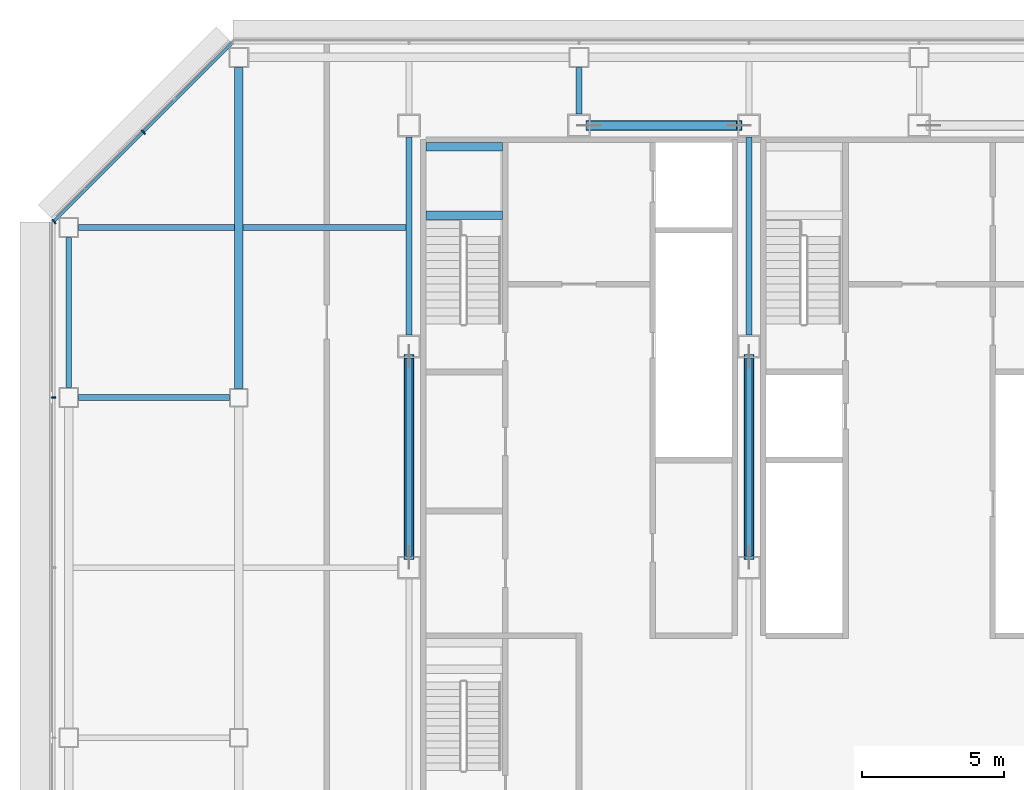
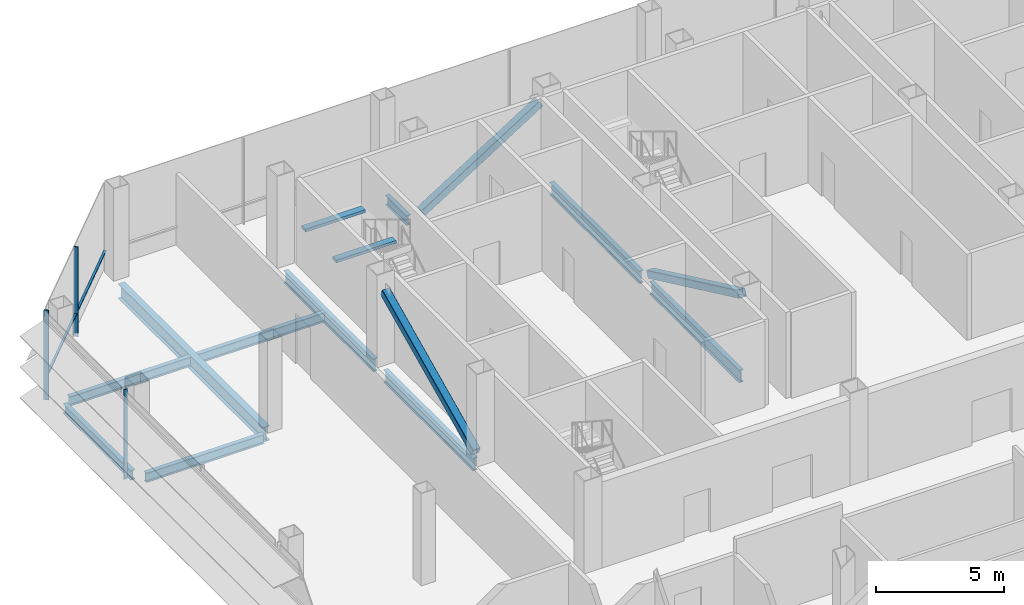
# One storey, part 11 of 26: 12 beams, 7 members, 2 elements without a shape of their own.
"""IFC4 building model written with IfcOpenShell, lengths in metres."""

from ifc_helpers import new_model, si_unit, direction, frame, origin, origin_2d, place, context, subcontext, project, spatial, rectangle, hollow_rectangle, i_section, extrude, material, material_profile, profile_set, type_object, element, aggregate, save


model = new_model("IFC4")

# Units and contexts
model_context = context("Model", 3, precision=1e-05, world=origin(), true_north=direction((0.0, 1.0)))
body_context = subcontext(model_context, "Body", "Model", "MODEL_VIEW")
ifc_project = project(units=[si_unit("LENGTHUNIT", "METRE"), si_unit("AREAUNIT", "SQUARE_METRE"), si_unit("VOLUMEUNIT", "CUBIC_METRE"), si_unit("PLANEANGLEUNIT", "RADIAN"), si_unit("MASSUNIT", "GRAM", prefix="KILO")], contexts=[model_context])

# Site, building, storey
site_placement = place(None, origin())
site = spatial("IfcSite", under=ifc_project, at=site_placement, CompositionType="ELEMENT")
building_placement = place(site_placement, origin())
building = spatial("IfcBuilding", under=site, at=building_placement, Name="Sorahane Residences", CompositionType="ELEMENT")
storey_placement = place(building_placement, frame((0.0, 0.0, 181.60009765625)))
storey = spatial("IfcBuildingStorey", under=building, at=storey_placement, Name="L42", CompositionType="ELEMENT", Elevation=181.60009765625)

# Members
ifc_material_1 = material(Name="Steel Q355B", Category="steel")
ifc_material_profile_1 = material_profile(ifc_material_1, hollow_rectangle(XDim=0.35009765625, YDim=0.35009765625, WallThickness=0.01806640625, InnerFilletRadius=0.009033203125, OuterFilletRadius=0.027099609375, at=origin_2d()), Name="RHS 350x350x18")
ifc_profile_set_1 = profile_set([ifc_material_profile_1], Name="Steel Q355B")
member_type_1 = type_object("IfcMemberType", Name="Core brace RHS 350x350x18 Q355B", PredefinedType="BRACE", material=ifc_profile_set_1)
member_1_placement = place(storey_placement, frame((12.34375, 45.60009765625, 0.13916015625), z_axis=(0.844333471207, 0.0, 0.535818056246), x_axis=(0.0, 1.0, 0.0)))
element("IfcMember", 1, at=member_1_placement, inside=storey, type_object=member_type_1, Name="Core brace L42 y45.6-2", PredefinedType="BRACE", context=body_context, shape_type="SweptSolid", body=[
    extrude(hollow_rectangle(XDim=0.35009765625, YDim=0.35009765625, WallThickness=0.01806640625, InnerFilletRadius=0.009033203125, OuterFilletRadius=0.027099609375, at=origin_2d()), origin(), (0.0, 0.0, 1.0), 6.2919921875),
])
for number, where, z_axis, x_axis, name in (
    (2, (6.0, 30.355224609375, 0.15380859375), (0.0, 0.90452341177, 0.42642396457), (-1.0, 0.0, 0.0), "Core brace L42 x6-2"),
    (3, (18.0, 37.44482421875, 0.15380859375), (0.0, -0.90452341177, 0.42642396457), (1.0, 0.0, 0.0), "Core brace L42 x18-1"),
):
    element("IfcMember", number, at=place(storey_placement, frame(where, z_axis=z_axis, x_axis=x_axis)), inside=storey, type_object=member_type_1, Name=name, PredefinedType="BRACE", context=body_context, shape_type="SweptSolid", body=[
        extrude(hollow_rectangle(XDim=0.35009765625, YDim=0.35009765625, WallThickness=0.01806640625, InnerFilletRadius=0.009033203125, OuterFilletRadius=0.027099609375, at=origin_2d()), origin(), (0.0, 0.0, 1.0), 7.837890625),
    ])

# Curtain wall, member
ifc_material_2 = material(Name="Dark low-e glass and black anodised aluminium", Category="aluminium")
curtain_wall_type_1 = type_object("IfcCurtainWallType", Name="Curtain wall CW-1 Typical unitised wall", PredefinedType="NOTDEFINED", material=ifc_material_2)
curtain_wall_1_placement = place(storey_placement, origin())
curtain_wall_1 = element("IfcCurtainWall", 4, at=curtain_wall_1_placement, inside=storey, type_object=curtain_wall_type_1, Name="CW-1 curtain wall L42 W1", PredefinedType="NOTDEFINED")
ifc_material_3 = material(Name="Black anodised aluminium", Category="aluminium")
ifc_material_profile_2 = material_profile(ifc_material_3, rectangle(XDim=0.159912109375, YDim=0.050048828125, at=origin_2d()), Name="Curtain wall mullion CW-1 black anodised aluminium 50x160")
ifc_profile_set_2 = profile_set([ifc_material_profile_2], Name="Black anodised aluminium")
member_type_2 = type_object("IfcMemberType", Name="Curtain wall mullion CW-1 black anodised aluminium 50x160", PredefinedType="MULLION", material=ifc_profile_set_2)
member_2_placement = place(storey_placement, frame((-6.5400390625, 36.0, -0.18017578125), z_axis=(0.0, 0.0, 1.0), x_axis=(-1.0, 0.0, 0.0)))
member_2 = element("IfcMember", 5, at=member_2_placement, type_object=member_type_2, Name="CW-1 mullion L42 W1.2", PredefinedType="MULLION", context=body_context, shape_type="SweptSolid", body=[
    extrude(rectangle(XDim=0.159912109375, YDim=0.050048828125, at=origin_2d()), origin(), (0.0, 0.0, 1.0), 4.280029296875),
])
aggregate(curtain_wall_1, [member_2])

# Curtain wall, members
ifc_material_4 = material(Name="Dark low-e glass and black anodised aluminium", Category="aluminium")
curtain_wall_type_2 = type_object("IfcCurtainWallType", Name="Curtain wall CW-2 Chamfer unitised wall", PredefinedType="NOTDEFINED", material=ifc_material_4)
curtain_wall_2_placement = place(storey_placement, origin())
curtain_wall_2 = element("IfcCurtainWall", 6, at=curtain_wall_2_placement, inside=storey, type_object=curtain_wall_type_2, Name="CW-2 curtain wall L42 NW1", PredefinedType="NOTDEFINED")
ifc_material_5 = material(Name="Black anodised aluminium", Category="aluminium")
ifc_material_profile_3 = material_profile(ifc_material_5, rectangle(XDim=0.199951171875, YDim=0.050048828125, at=origin_2d()), Name="Curtain wall mullion CW-2 black anodised aluminium 50x200")
ifc_profile_set_3 = profile_set([ifc_material_profile_3], Name="Black anodised aluminium")
member_type_3 = type_object("IfcMemberType", Name="Curtain wall mullion CW-2 black anodised aluminium 50x200", PredefinedType="MULLION", material=ifc_profile_set_3)
member_3_placement = place(storey_placement, frame((-3.36767578125, 45.36767578125, -0.18017578125), z_axis=(0.0, 0.0, 1.0), x_axis=(-0.707106781187, 0.707106781187, 0.0)))
member_3 = element("IfcMember", 7, at=member_3_placement, type_object=member_type_3, Name="CW-2 mullion L42 NW1.2", PredefinedType="MULLION", context=body_context, shape_type="SweptSolid", body=[
    extrude(rectangle(XDim=0.199951171875, YDim=0.050048828125, at=origin_2d()), origin(), (0.0, 0.0, 1.0), 4.280029296875),
])
member_4_placement = place(storey_placement, frame((-6.525634765625, 42.209716796875, -0.18017578125), z_axis=(0.0, 0.0, 1.0), x_axis=(-0.707106781187, 0.707106781187, 0.0)))
member_4 = element("IfcMember", 8, at=member_4_placement, type_object=member_type_3, Name="CW-2 mullion L42 NW1.3", PredefinedType="MULLION", context=body_context, shape_type="SweptSolid", body=[
    extrude(rectangle(XDim=0.199951171875, YDim=0.050048828125, at=origin_2d()), origin(), (0.0, 0.0, 1.0), 4.280029296875),
])
ifc_material_6 = material(Name="Black anodised aluminium", Category="aluminium")
ifc_material_profile_4 = material_profile(ifc_material_6, rectangle(XDim=0.10009765625, YDim=0.06005859375, at=origin_2d()), Name="Curtain wall transom CW-2 black anodised aluminium 60x100")
ifc_profile_set_4 = profile_set([ifc_material_profile_4], Name="Black anodised aluminium")
member_type_4 = type_object("IfcMemberType", Name="Curtain wall transom CW-2 black anodised aluminium 60x100", PredefinedType="USERDEFINED", material=ifc_profile_set_4)
member_5_placement = place(storey_placement, frame((-0.234375, 48.51513671875, 0.89990234375), z_axis=(-0.707106781187, -0.707106781187, 0.0), x_axis=(0.707106781187, -0.707106781187, 0.0)))
member_5 = element("IfcMember", 9, at=member_5_placement, type_object=member_type_4, Name="CW-2 transom L42 NW1", ObjectType="TRANSOM", PredefinedType="USERDEFINED", context=body_context, shape_type="SweptSolid", body=[
    extrude(rectangle(XDim=0.10009765625, YDim=0.06005859375, at=origin_2d()), origin(), (0.0, 0.0, 1.0), 8.88232421875),
])
aggregate(curtain_wall_2, [member_3, member_4, member_5])

# Beams
ifc_material_7 = material(Name="Concrete C40", Category="concrete")
ifc_material_profile_5 = material_profile(ifc_material_7, rectangle(XDim=0.300048828125, YDim=0.139892578125, at=origin_2d()), Name="300x140")
ifc_profile_set_5 = profile_set([ifc_material_profile_5], Name="Concrete C40")
beam_type_1 = type_object("IfcBeamType", Name="RC landing beam 300 x 140 Concrete C40", PredefinedType="BEAM", material=ifc_profile_set_5)
for number, where, z_axis, x_axis, name in (
    (10, (6.60009765625, 42.429931640625, 1.7607421875), (1.0, 0.0, 0.0), (0.0, 1.0, 0.0), "Landing beam"),
    (11, (6.60009765625, 44.85009765625, 1.7607421875), (1.0, 0.0, 0.0), (0.0, 1.0, 0.0), "Landing beam"),
):
    element("IfcBeam", number, at=place(storey_placement, frame(where, z_axis=z_axis, x_axis=x_axis)), inside=storey, type_object=beam_type_1, Name=name, PredefinedType="BEAM", context=body_context, shape_type="SweptSolid", body=[
        extrude(rectangle(XDim=0.300048828125, YDim=0.139892578125, at=origin_2d()), origin(), (0.0, 0.0, 1.0), 2.699951171875),
    ])
ifc_material_8 = material(Name="Steel Q355B", Category="steel")
ifc_material_profile_6 = material_profile(ifc_material_8, i_section(OverallWidth=0.199951171875, OverallDepth=0.449951171875, WebThickness=0.009033203125, FlangeThickness=0.013916015625, FilletRadius=0.02001953125, at=origin_2d()), Name="HN 450x200x9x14")
ifc_profile_set_6 = profile_set([ifc_material_profile_6], Name="Steel Q355B")
beam_type_2 = type_object("IfcBeamType", Name="Steel floor beam HN 450x200x9x14 Q355B", PredefinedType="BEAM", material=ifc_profile_set_6)
beam_1_placement = place(storey_placement, frame((-5.64990234375, 36.0, -0.405029296875), z_axis=(1.0, 0.0, 0.0), x_axis=(0.0, 1.0, 0.0)))
element("IfcBeam", 12, at=beam_1_placement, inside=storey, type_object=beam_type_2, Name="Beam L42 013", PredefinedType="BEAM", context=body_context, shape_type="SweptSolid", body=[
    extrude(i_section(OverallWidth=0.199951171875, OverallDepth=0.449951171875, WebThickness=0.009033203125, FlangeThickness=0.013916015625, FilletRadius=0.02001953125, at=origin_2d()), origin(), (0.0, 0.0, 1.0), 5.324951171875),
])
beam_2_placement = place(storey_placement, frame((-6.0, 36.35009765625, -0.405029296875), z_axis=(0.0, 1.0, 0.0), x_axis=(-1.0, 0.0, 0.0)))
element("IfcBeam", 13, at=beam_2_placement, inside=storey, type_object=beam_type_2, Name="Beam L42 023", PredefinedType="BEAM", context=body_context, shape_type="SweptSolid", body=[
    extrude(i_section(OverallWidth=0.199951171875, OverallDepth=0.449951171875, WebThickness=0.009033203125, FlangeThickness=0.013916015625, FilletRadius=0.02001953125, at=origin_2d()), origin(), (0.0, 0.0, 1.0), 5.2998046875),
])
beam_3_placement = place(storey_placement, frame((12.0, 46.0, -0.405029296875), z_axis=(0.0, 1.0, 0.0), x_axis=(-1.0, 0.0, 0.0)))
element("IfcBeam", 14, at=beam_3_placement, inside=storey, type_object=beam_type_2, Name="Beam L42 035", PredefinedType="BEAM", context=body_context, shape_type="SweptSolid", body=[
    extrude(i_section(OverallWidth=0.199951171875, OverallDepth=0.449951171875, WebThickness=0.009033203125, FlangeThickness=0.013916015625, FilletRadius=0.02001953125, at=origin_2d()), origin(), (0.0, 0.0, 1.0), 1.64990234375),
])
beam_4_placement = place(storey_placement, frame((-5.64990234375, 42.0, -0.405029296875), z_axis=(1.0, 0.0, 0.0), x_axis=(0.0, 1.0, 0.0)))
element("IfcBeam", 15, at=beam_4_placement, inside=storey, type_object=beam_type_2, Name="Beam L42 089", PredefinedType="BEAM", context=body_context, shape_type="SweptSolid", body=[
    extrude(i_section(OverallWidth=0.199951171875, OverallDepth=0.449951171875, WebThickness=0.009033203125, FlangeThickness=0.013916015625, FilletRadius=0.02001953125, at=origin_2d()), origin(), (0.0, 0.0, 1.0), 5.5),
])
beam_5_placement = place(storey_placement, frame((0.14990234375, 42.0, -0.405029296875), z_axis=(1.0, 0.0, 0.0), x_axis=(0.0, 1.0, 0.0)))
element("IfcBeam", 16, at=beam_5_placement, inside=storey, type_object=beam_type_2, Name="Beam L42 090", PredefinedType="BEAM", context=body_context, shape_type="SweptSolid", body=[
    extrude(i_section(OverallWidth=0.199951171875, OverallDepth=0.449951171875, WebThickness=0.009033203125, FlangeThickness=0.013916015625, FilletRadius=0.02001953125, at=origin_2d()), origin(), (0.0, 0.0, 1.0), 5.75),
])
ifc_material_9 = material(Name="Steel Q355B", Category="steel")
ifc_material_profile_7 = material_profile(ifc_material_9, i_section(OverallWidth=0.199951171875, OverallDepth=0.60009765625, WebThickness=0.010986328125, FlangeThickness=0.01708984375, FilletRadius=0.02392578125, at=origin_2d()), Name="HN 600x200x11x17")
ifc_profile_set_7 = profile_set([ifc_material_profile_7], Name="Steel Q355B")
beam_type_3 = type_object("IfcBeamType", Name="Steel floor beam HN 600x200x11x17 Q355B", PredefinedType="BEAM", material=ifc_profile_set_7)
for number, where, z_axis, x_axis, name in (
    (17, (6.0, 30.39990234375, -0.47998046875), (0.0, 1.0, 0.0), (-1.0, 0.0, 0.0), "Beam L42 031"),
    (18, (6.0, 38.199951171875, -0.47998046875), (0.0, 1.0, 0.0), (-1.0, 0.0, 0.0), "Beam L42 032"),
    (19, (18.0, 30.39990234375, -0.47998046875), (0.0, 1.0, 0.0), (-1.0, 0.0, 0.0), "Beam L42 039"),
    (20, (18.0, 38.199951171875, -0.47998046875), (0.0, 1.0, 0.0), (-1.0, 0.0, 0.0), "Beam L42 040"),
):
    element("IfcBeam", number, at=place(storey_placement, frame(where, z_axis=z_axis, x_axis=x_axis)), inside=storey, type_object=beam_type_3, Name=name, PredefinedType="BEAM", context=body_context, shape_type="SweptSolid", body=[
        extrude(i_section(OverallWidth=0.199951171875, OverallDepth=0.60009765625, WebThickness=0.010986328125, FlangeThickness=0.01708984375, FilletRadius=0.02392578125, at=origin_2d()), origin(), (0.0, 0.0, 1.0), 7.0),
    ])
ifc_material_10 = material(Name="Steel Q355B", Category="steel")
ifc_material_profile_8 = material_profile(ifc_material_10, i_section(OverallWidth=0.300048828125, OverallDepth=0.699951171875, WebThickness=0.012939453125, FlangeThickness=0.02392578125, FilletRadius=0.028076171875, at=origin_2d()), Name="HN 700x300x13x24")
ifc_profile_set_8 = profile_set([ifc_material_profile_8], Name="Steel Q355B")
beam_type_4 = type_object("IfcBeamType", Name="Steel floor beam HN 700x300x13x24 Q355B", PredefinedType="BEAM", material=ifc_profile_set_8)
beam_6_placement = place(storey_placement, frame((0.0, 36.324951171875, -0.530029296875), z_axis=(0.0, 1.0, 0.0), x_axis=(-1.0, 0.0, 0.0)))
element("IfcBeam", 21, at=beam_6_placement, inside=storey, type_object=beam_type_4, Name="Beam L42 027", PredefinedType="BEAM", context=body_context, shape_type="SweptSolid", body=[
    extrude(i_section(OverallWidth=0.300048828125, OverallDepth=0.699951171875, WebThickness=0.012939453125, FlangeThickness=0.02392578125, FilletRadius=0.028076171875, at=origin_2d()), origin(), (0.0, 0.0, 1.0), 11.324951171875),
])

save(model, "model.ifc")
